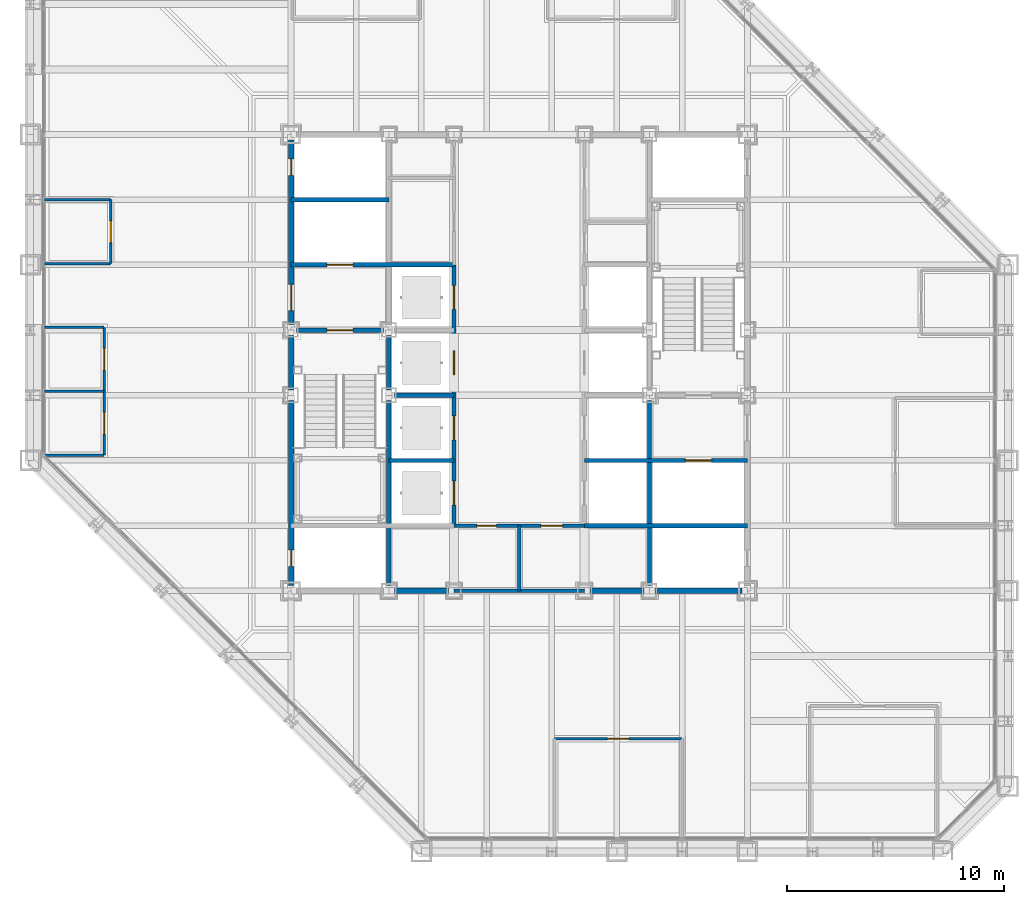
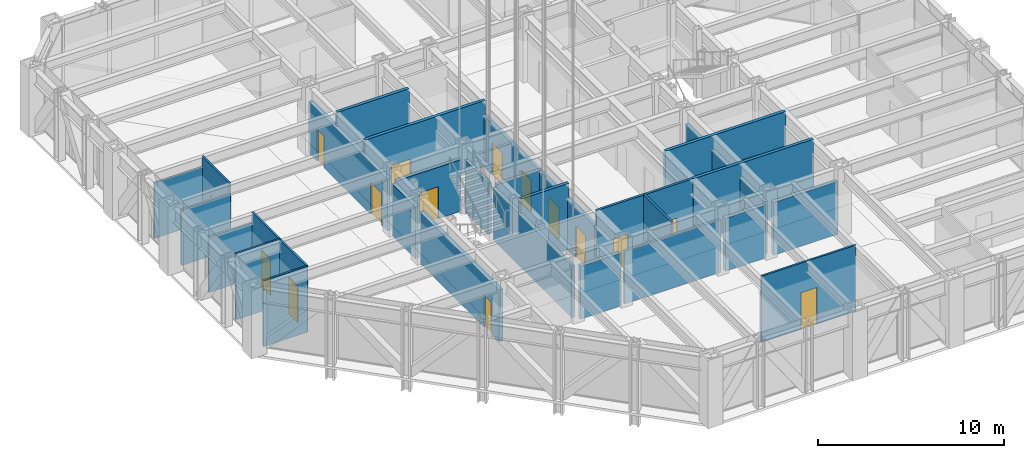
# One storey, part 10 of 26: 29 walls, 16 doors, 16 openings.
"""IFC4 building model written with IfcOpenShell, lengths in metres."""

from ifc_helpers import new_model, si_unit, direction, frame, frame_2d, origin, place, context, subcontext, project, spatial, rectangle, extrude, material, layer, layer_set, type_object, element, fill, save


model = new_model("IFC4")

# Units and contexts
model_context = context("Model", 3, precision=1e-05, world=origin(), true_north=direction((0.0, 1.0)))
body_context = subcontext(model_context, "Body", "Model", "MODEL_VIEW")
ifc_project = project(units=[si_unit("LENGTHUNIT", "METRE"), si_unit("AREAUNIT", "SQUARE_METRE"), si_unit("VOLUMEUNIT", "CUBIC_METRE"), si_unit("PLANEANGLEUNIT", "RADIAN"), si_unit("MASSUNIT", "GRAM", prefix="KILO")], contexts=[model_context])

# Site, building, storey
site_placement = place(None, origin())
site = spatial("IfcSite", under=ifc_project, at=site_placement, CompositionType="ELEMENT")
building_placement = place(site_placement, origin())
building = spatial("IfcBuilding", under=site, at=building_placement, Name="Chuquiago Exchange Tower", CompositionType="ELEMENT")
storey_placement = place(building_placement, frame((0.0, 0.0, 102.300048828125)))
storey = spatial("IfcBuildingStorey", under=building, at=storey_placement, Name="L21", CompositionType="ELEMENT", Elevation=102.300048828125)

# Wall, opening, door
ifc_material_1 = material(Name="Concrete masonry, fully grouted", Category="masonry")
ifc_layer_1 = layer(ifc_material_1, 0.25)
ifc_layer_set_1 = layer_set([ifc_layer_1], Name="W1 core wall 250")
wall_type_1 = type_object("IfcWallType", Name="W1 core wall 250", PredefinedType="SOLIDWALL", material=ifc_layer_set_1)
wall_1_placement = place(storey_placement, frame((12.0, 12.25, 0.0), z_axis=(0.0, 0.0, 1.0), x_axis=(0.0, 1.0, 0.0)))
wall_1 = element("IfcWall", 1, at=wall_1_placement, inside=storey, type_object=wall_type_1, Name="CW-L21-00-0", PredefinedType="SOLIDWALL", context=body_context, shape_type="SweptSolid", body=[
    extrude(rectangle(XDim=8.5, YDim=0.25, at=frame_2d((4.25, 0.0))), origin(), (0.0, 0.0, 1.0), 3.412841796875),
])
opening_1_placement = place(wall_1_placement, frame((0.875, 0.0, 0.0)))
opening_1 = element("IfcOpeningElement", 2, at=opening_1_placement, cuts=wall_1, Name="Opening L21-007", PredefinedType="OPENING", context=body_context, shape_type="SweptSolid", body=[
    extrude(rectangle(XDim=0.75, YDim=2.10009765625, at=frame_2d((0.375, 1.050048828125))), frame((0.0, 0.135009765625, 0.0), z_axis=(0.0, -1.0, 0.0), x_axis=(1.0, 0.0, 0.0)), (0.0, 0.0, 1.0), 0.27001953125),
])
ifc_material_2 = material(Name="Steel door, painted", Category="steel")
door_type_1 = type_object("IfcDoorType", Name="D6 riser access door 750x2100", OperationType="SINGLE_SWING_LEFT", PredefinedType="DOOR", material=ifc_material_2)
door_1_placement = place(opening_1_placement, frame((0.75, 0.0, 0.0), z_axis=(0.0, 0.0, 1.0), x_axis=(-1.0, 0.0, 0.0)))
door_1 = element("IfcDoor", 3, at=door_1_placement, inside=storey, type_object=door_type_1, Name="Riser RW1 door", OperationType="SINGLE_SWING_RIGHT", OverallHeight=2.10009765625, OverallWidth=0.75, PredefinedType="DOOR", context=body_context, shape_type="SweptSolid", body=[
    extrude(rectangle(XDim=0.75, YDim=2.10009765625, at=frame_2d((0.375, 1.050048828125))), frame((0.0, 0.02490234375, 0.0), z_axis=(0.0, -1.0, 0.0), x_axis=(1.0, 0.0, 0.0)), (0.0, 0.0, 1.0), 0.050048828125),
])
fill(opening_1, door_1)

# Wall
wall_2_placement = place(storey_placement, frame((12.0, 21.25, 0.0), z_axis=(0.0, 0.0, 1.0), x_axis=(0.0, 1.0, 0.0)))
element("IfcWall", 4, at=wall_2_placement, inside=storey, type_object=wall_type_1, Name="CW-L21-00-1", PredefinedType="SOLIDWALL", context=body_context, shape_type="SweptSolid", body=[
    extrude(rectangle(XDim=2.5, YDim=0.25, at=frame_2d((1.25, 0.0))), origin(), (0.0, 0.0, 1.0), 3.412841796875),
])

# Wall, openings, doors
wall_3_placement = place(storey_placement, frame((12.0, 24.25, 0.0), z_axis=(0.0, 0.0, 1.0), x_axis=(0.0, 1.0, 0.0)))
wall_3 = element("IfcWall", 5, at=wall_3_placement, inside=storey, type_object=wall_type_1, Name="CW-L21-00-2", PredefinedType="SOLIDWALL", context=body_context, shape_type="SweptSolid", body=[
    extrude(rectangle(XDim=8.5, YDim=0.25, at=frame_2d((4.25, 0.0))), origin(), (0.0, 0.0, 1.0), 3.412841796875),
])
opening_2_placement = place(wall_3_placement, frame((0.64990234375, 0.0, 0.0)))
opening_2 = element("IfcOpeningElement", 6, at=opening_2_placement, cuts=wall_3, Name="Opening L21-002", PredefinedType="OPENING", context=body_context, shape_type="SweptSolid", body=[
    extrude(rectangle(XDim=1.199951171875, YDim=2.10009765625, at=frame_2d((0.60009765625, 1.050048828125))), frame((0.0, 0.135009765625, 0.0), z_axis=(0.0, -1.0, 0.0), x_axis=(1.0, 0.0, 0.0)), (0.0, 0.0, 1.0), 0.27001953125),
])
opening_3_placement = place(wall_3_placement, frame((6.875, 0.0, 0.0)))
opening_3 = element("IfcOpeningElement", 7, at=opening_3_placement, cuts=wall_3, Name="Opening L21-008", PredefinedType="OPENING", context=body_context, shape_type="SweptSolid", body=[
    extrude(rectangle(XDim=0.75, YDim=2.10009765625, at=frame_2d((0.375, 1.050048828125))), frame((0.0, 0.135009765625, 0.0), z_axis=(0.0, -1.0, 0.0), x_axis=(1.0, 0.0, 0.0)), (0.0, 0.0, 1.0), 0.27001953125),
])
ifc_material_3 = material(Name="Steel door, painted", Category="steel")
door_type_2 = type_object("IfcDoorType", Name="D5 firefighting lobby door 1200x2100", OperationType="SINGLE_SWING_LEFT", PredefinedType="DOOR", material=ifc_material_3)
door_2_placement = place(opening_2_placement, frame((1.199951171875, 0.0, 0.0), z_axis=(0.0, 0.0, 1.0), x_axis=(-1.0, 0.0, 0.0)))
door_2 = element("IfcDoor", 8, at=door_2_placement, inside=storey, type_object=door_type_2, Name="Firefighting lobby 1 door", OperationType="SINGLE_SWING_RIGHT", OverallHeight=2.10009765625, OverallWidth=1.199951171875, PredefinedType="DOOR", context=body_context, shape_type="SweptSolid", body=[
    extrude(rectangle(XDim=1.199951171875, YDim=2.10009765625, at=frame_2d((0.60009765625, 1.050048828125))), frame((0.0, 0.02490234375, 0.0), z_axis=(0.0, -1.0, 0.0), x_axis=(1.0, 0.0, 0.0)), (0.0, 0.0, 1.0), 0.050048828125),
])
fill(opening_2, door_2)
door_3_placement = place(opening_3_placement, frame((0.75, 0.0, 0.0), z_axis=(0.0, 0.0, 1.0), x_axis=(-1.0, 0.0, 0.0)))
door_3 = element("IfcDoor", 9, at=door_3_placement, inside=storey, type_object=door_type_1, Name="Riser RW2 door", OperationType="SINGLE_SWING_LEFT", OverallHeight=2.10009765625, OverallWidth=0.75, PredefinedType="DOOR", context=body_context, shape_type="SweptSolid", body=[
    extrude(rectangle(XDim=0.75, YDim=2.10009765625, at=frame_2d((0.375, 1.050048828125))), frame((0.0, 0.02490234375, 0.0), z_axis=(0.0, -1.0, 0.0), x_axis=(1.0, 0.0, 0.0)), (0.0, 0.0, 1.0), 0.050048828125),
])
fill(opening_3, door_3)

# Walls
for number, where, z_axis, x_axis, name in (
    (10, (16.75, 12.0, 0.0), (0.0, 0.0, 1.0), (1.0, 0.0, 0.0), "CW-L21-01-1"),
    (11, (25.75, 12.0, 0.0), (0.0, 0.0, 1.0), (1.0, 0.0, 0.0), "CW-L21-02-0"),
):
    element("IfcWall", number, at=place(storey_placement, frame(where, z_axis=z_axis, x_axis=x_axis)), inside=storey, type_object=wall_type_1, Name=name, PredefinedType="SOLIDWALL", context=body_context, shape_type="SweptSolid", body=[
        extrude(rectangle(XDim=2.5, YDim=0.25, at=frame_2d((1.25, 0.0))), origin(), (0.0, 0.0, 1.0), 3.4814453125),
    ])
wall_4_placement = place(storey_placement, frame((28.75, 12.0, 0.0), z_axis=(0.0, 0.0, 1.0), x_axis=(1.0, 0.0, 0.0)))
element("IfcWall", 12, at=wall_4_placement, inside=storey, type_object=wall_type_1, Name="CW-L21-02-1", PredefinedType="SOLIDWALL", context=body_context, shape_type="SweptSolid", body=[
    extrude(rectangle(XDim=4.0, YDim=0.25, at=frame_2d((2.0, 0.0))), origin(), (0.0, 0.0, 1.0), 3.4814453125),
])
ifc_material_4 = material(Name="Concrete masonry, fully grouted", Category="masonry")
ifc_layer_2 = layer(ifc_material_4, 0.199951171875)
ifc_layer_set_2 = layer_set([ifc_layer_2], Name="W2 shaft wall 200")
wall_type_2 = type_object("IfcWallType", Name="W2 shaft wall 200", PredefinedType="SOLIDWALL", material=ifc_layer_set_2)
wall_5_placement = place(storey_placement, frame((25.5, 15.0, 0.0), z_axis=(0.0, 0.0, 1.0), x_axis=(1.0, 0.0, 0.0)))
element("IfcWall", 13, at=wall_5_placement, inside=storey, type_object=wall_type_2, Name="CW-L21-04-0", PredefinedType="SOLIDWALL", context=body_context, shape_type="SweptSolid", body=[
    extrude(rectangle(XDim=7.5, YDim=0.199951171875, at=frame_2d((3.75, 0.0))), origin(), (0.0, 0.0, 1.0), 4.33984375),
])

# Wall, opening, door
wall_6_placement = place(storey_placement, frame((12.25, 24.0, 0.0), z_axis=(0.0, 0.0, 1.0), x_axis=(1.0, 0.0, 0.0)))
wall_6 = element("IfcWall", 14, at=wall_6_placement, inside=storey, type_object=wall_type_2, Name="CW-L21-05-0", PredefinedType="SOLIDWALL", context=body_context, shape_type="SweptSolid", body=[
    extrude(rectangle(XDim=4.0, YDim=0.199951171875, at=frame_2d((2.0, 0.0))), origin(), (0.0, 0.0, 1.0), 3.389892578125),
])
opening_4_placement = place(wall_6_placement, frame((1.39990234375, 0.0, 0.0)))
opening_4 = element("IfcOpeningElement", 15, at=opening_4_placement, cuts=wall_6, Name="Opening L21-001", PredefinedType="OPENING", context=body_context, shape_type="SweptSolid", body=[
    extrude(rectangle(XDim=1.199951171875, YDim=2.10009765625, at=frame_2d((0.60009765625, 1.050048828125))), frame((0.0, 0.10986328125, 0.0), z_axis=(0.0, -1.0, 0.0), x_axis=(1.0, 0.0, 0.0)), (0.0, 0.0, 1.0), 0.219970703125),
])
ifc_material_5 = material(Name="Steel door, painted", Category="steel")
door_type_3 = type_object("IfcDoorType", Name="D4 stair door 1200x2100", OperationType="SINGLE_SWING_LEFT", PredefinedType="DOOR", material=ifc_material_5)
door_4_placement = place(opening_4_placement, frame((1.199951171875, 0.0, 0.0), z_axis=(0.0, 0.0, 1.0), x_axis=(-1.0, 0.0, 0.0)))
door_4 = element("IfcDoor", 16, at=door_4_placement, inside=storey, type_object=door_type_3, Name="Stair ST1 door", OperationType="SINGLE_SWING_RIGHT", OverallHeight=2.10009765625, OverallWidth=1.199951171875, PredefinedType="DOOR", context=body_context, shape_type="SweptSolid", body=[
    extrude(rectangle(XDim=1.199951171875, YDim=2.10009765625, at=frame_2d((0.60009765625, 1.050048828125))), frame((0.0, 0.02490234375, 0.0), z_axis=(0.0, -1.0, 0.0), x_axis=(1.0, 0.0, 0.0)), (0.0, 0.0, 1.0), 0.050048828125),
])
fill(opening_4, door_4)

wall_7_placement = place(storey_placement, frame((12.0, 27.0, 0.0), z_axis=(0.0, 0.0, 1.0), x_axis=(1.0, 0.0, 0.0)))
wall_7 = element("IfcWall", 17, at=wall_7_placement, inside=storey, type_object=wall_type_2, Name="CW-L21-07-0", PredefinedType="SOLIDWALL", context=body_context, shape_type="SweptSolid", body=[
    extrude(rectangle(XDim=7.5, YDim=0.199951171875, at=frame_2d((3.75, 0.0))), origin(), (0.0, 0.0, 1.0), 4.33984375),
])
opening_5_placement = place(wall_7_placement, frame((1.64990234375, 0.0, 0.0)))
opening_5 = element("IfcOpeningElement", 18, at=opening_5_placement, cuts=wall_7, Name="Opening L21-005", PredefinedType="OPENING", context=body_context, shape_type="SweptSolid", body=[
    extrude(rectangle(XDim=1.199951171875, YDim=2.10009765625, at=frame_2d((0.60009765625, 1.050048828125))), frame((0.0, 0.10986328125, 0.0), z_axis=(0.0, -1.0, 0.0), x_axis=(1.0, 0.0, 0.0)), (0.0, 0.0, 1.0), 0.219970703125),
])
ifc_material_6 = material(Name="Stainless steel lift landing door", Category="steel")
door_type_4 = type_object("IfcDoorType", Name="LD2 firefighting lift landing door 1200x2100", OperationType="DOUBLE_DOOR_SLIDING", PredefinedType="DOOR", material=ifc_material_6)
door_5_placement = place(opening_5_placement, origin())
door_5 = element("IfcDoor", 19, at=door_5_placement, inside=storey, type_object=door_type_4, Name="Firefighting lift FL1 landing door", OperationType="DOUBLE_DOOR_SLIDING", OverallHeight=2.10009765625, OverallWidth=1.199951171875, PredefinedType="DOOR", context=body_context, shape_type="SweptSolid", body=[
    extrude(rectangle(XDim=1.199951171875, YDim=2.10009765625, at=frame_2d((0.60009765625, 1.050048828125))), frame((0.0, 0.02490234375, 0.0), z_axis=(0.0, -1.0, 0.0), x_axis=(1.0, 0.0, 0.0)), (0.0, 0.0, 1.0), 0.050048828125),
])
fill(opening_5, door_5)

# Walls
wall_8_placement = place(storey_placement, frame((12.0, 30.0, 0.0), z_axis=(0.0, 0.0, 1.0), x_axis=(1.0, 0.0, 0.0)))
element("IfcWall", 20, at=wall_8_placement, inside=storey, type_object=wall_type_2, Name="CW-L21-09-0", PredefinedType="SOLIDWALL", context=body_context, shape_type="SweptSolid", body=[
    extrude(rectangle(XDim=4.5, YDim=0.199951171875, at=frame_2d((2.25, 0.0))), origin(), (0.0, 0.0, 1.0), 4.33984375),
])
wall_9_placement = place(storey_placement, frame((16.5, 12.25, 0.0), z_axis=(0.0, 0.0, 1.0), x_axis=(0.0, 1.0, 0.0)))
element("IfcWall", 21, at=wall_9_placement, inside=storey, type_object=wall_type_2, Name="CW-L21-13-0", PredefinedType="SOLIDWALL", context=body_context, shape_type="SweptSolid", body=[
    extrude(rectangle(XDim=8.5, YDim=0.199951171875, at=frame_2d((4.25, 0.0))), origin(), (0.0, 0.0, 1.0), 3.412841796875),
])
wall_10_placement = place(storey_placement, frame((16.5, 21.25, 0.0), z_axis=(0.0, 0.0, 1.0), x_axis=(0.0, 1.0, 0.0)))
element("IfcWall", 22, at=wall_10_placement, inside=storey, type_object=wall_type_2, Name="CW-L21-13-1", PredefinedType="SOLIDWALL", context=body_context, shape_type="SweptSolid", body=[
    extrude(rectangle(XDim=2.5, YDim=0.199951171875, at=frame_2d((1.25, 0.0))), origin(), (0.0, 0.0, 1.0), 3.412841796875),
])
wall_11_placement = place(storey_placement, frame((16.5, 18.0, 0.0), z_axis=(0.0, 0.0, 1.0), x_axis=(1.0, 0.0, 0.0)))
element("IfcWall", 23, at=wall_11_placement, inside=storey, type_object=wall_type_2, Name="CW-L21-14-0", PredefinedType="SOLIDWALL", context=body_context, shape_type="SweptSolid", body=[
    extrude(rectangle(XDim=3.0, YDim=0.199951171875, at=frame_2d((1.5, 0.0))), origin(), (0.0, 0.0, 1.0), 4.33984375),
])

# Wall, opening, door
wall_12_placement = place(storey_placement, frame((25.5, 18.0, 0.0), z_axis=(0.0, 0.0, 1.0), x_axis=(1.0, 0.0, 0.0)))
wall_12 = element("IfcWall", 24, at=wall_12_placement, inside=storey, type_object=wall_type_2, Name="CW-L21-15-0", PredefinedType="SOLIDWALL", context=body_context, shape_type="SweptSolid", body=[
    extrude(rectangle(XDim=7.5, YDim=0.199951171875, at=frame_2d((3.75, 0.0))), origin(), (0.0, 0.0, 1.0), 4.33984375),
])
opening_6_placement = place(wall_12_placement, frame((4.64990234375, 0.0, 0.0)))
opening_6 = element("IfcOpeningElement", 25, at=opening_6_placement, cuts=wall_12, Name="Opening L21-006", PredefinedType="OPENING", context=body_context, shape_type="SweptSolid", body=[
    extrude(rectangle(XDim=1.199951171875, YDim=2.10009765625, at=frame_2d((0.60009765625, 1.050048828125))), frame((0.0, 0.10986328125, 0.0), z_axis=(0.0, -1.0, 0.0), x_axis=(1.0, 0.0, 0.0)), (0.0, 0.0, 1.0), 0.219970703125),
])
door_6_placement = place(opening_6_placement, origin())
door_6 = element("IfcDoor", 26, at=door_6_placement, inside=storey, type_object=door_type_4, Name="Firefighting lift FL2 landing door", OperationType="DOUBLE_DOOR_SLIDING", OverallHeight=2.10009765625, OverallWidth=1.199951171875, PredefinedType="DOOR", context=body_context, shape_type="SweptSolid", body=[
    extrude(rectangle(XDim=1.199951171875, YDim=2.10009765625, at=frame_2d((0.60009765625, 1.050048828125))), frame((0.0, 0.02490234375, 0.0), z_axis=(0.0, -1.0, 0.0), x_axis=(1.0, 0.0, 0.0)), (0.0, 0.0, 1.0), 0.050048828125),
])
fill(opening_6, door_6)

# Wall
wall_13_placement = place(storey_placement, frame((16.75, 21.0, 0.0), z_axis=(0.0, 0.0, 1.0), x_axis=(1.0, 0.0, 0.0)))
element("IfcWall", 27, at=wall_13_placement, inside=storey, type_object=wall_type_2, Name="CW-L21-16-0", PredefinedType="SOLIDWALL", context=body_context, shape_type="SweptSolid", body=[
    extrude(rectangle(XDim=2.75, YDim=0.199951171875, at=frame_2d((1.375, 0.0))), origin(), (0.0, 0.0, 1.0), 3.389892578125),
])

# Wall, openings, doors
wall_14_placement = place(storey_placement, frame((19.5, 15.0, 0.0), z_axis=(0.0, 0.0, 1.0), x_axis=(0.0, 1.0, 0.0)))
wall_14 = element("IfcWall", 28, at=wall_14_placement, inside=storey, type_object=wall_type_2, Name="CW-L21-19-0", PredefinedType="SOLIDWALL", context=body_context, shape_type="SweptSolid", body=[
    extrude(rectangle(XDim=12.0, YDim=0.199951171875, at=frame_2d((6.0, 0.0))), origin(), (0.0, 0.0, 1.0), 3.364501953125),
])
opening_7_placement = place(wall_14_placement, frame((0.949951171875, 0.0, 0.0)))
opening_7 = element("IfcOpeningElement", 29, at=opening_7_placement, cuts=wall_14, Name="Opening L21-017", PredefinedType="OPENING", context=body_context, shape_type="SweptSolid", body=[
    extrude(rectangle(XDim=1.10009765625, YDim=2.10009765625, at=frame_2d((0.550048828125, 1.050048828125))), frame((0.0, 0.10986328125, 0.0), z_axis=(0.0, -1.0, 0.0), x_axis=(1.0, 0.0, 0.0)), (0.0, 0.0, 1.0), 0.219970703125),
])
opening_8_placement = place(wall_14_placement, frame((3.949951171875, 0.0, 0.0)))
opening_8 = element("IfcOpeningElement", 30, at=opening_8_placement, cuts=wall_14, Name="Opening L21-019", PredefinedType="OPENING", context=body_context, shape_type="SweptSolid", body=[
    extrude(rectangle(XDim=1.10009765625, YDim=2.10009765625, at=frame_2d((0.550048828125, 1.050048828125))), frame((0.0, 0.10986328125, 0.0), z_axis=(0.0, -1.0, 0.0), x_axis=(1.0, 0.0, 0.0)), (0.0, 0.0, 1.0), 0.219970703125),
])
opening_9_placement = place(wall_14_placement, frame((6.949951171875, 0.0, 0.0)))
opening_9 = element("IfcOpeningElement", 31, at=opening_9_placement, cuts=wall_14, Name="Opening L21-021", PredefinedType="OPENING", context=body_context, shape_type="SweptSolid", body=[
    extrude(rectangle(XDim=1.10009765625, YDim=2.10009765625, at=frame_2d((0.550048828125, 1.050048828125))), frame((0.0, 0.10986328125, 0.0), z_axis=(0.0, -1.0, 0.0), x_axis=(1.0, 0.0, 0.0)), (0.0, 0.0, 1.0), 0.219970703125),
])
opening_10_placement = place(wall_14_placement, frame((9.949951171875, 0.0, 0.0)))
opening_10 = element("IfcOpeningElement", 32, at=opening_10_placement, cuts=wall_14, Name="Opening L21-023", PredefinedType="OPENING", context=body_context, shape_type="SweptSolid", body=[
    extrude(rectangle(XDim=1.10009765625, YDim=2.10009765625, at=frame_2d((0.550048828125, 1.050048828125))), frame((0.0, 0.10986328125, 0.0), z_axis=(0.0, -1.0, 0.0), x_axis=(1.0, 0.0, 0.0)), (0.0, 0.0, 1.0), 0.219970703125),
])
ifc_material_7 = material(Name="Stainless steel lift landing door", Category="steel")
door_type_5 = type_object("IfcDoorType", Name="LD1 lift landing door 1100x2100", OperationType="DOUBLE_DOOR_SLIDING", PredefinedType="DOOR", material=ifc_material_7)
door_7_placement = place(opening_7_placement, origin())
door_7 = element("IfcDoor", 33, at=door_7_placement, inside=storey, type_object=door_type_5, Name="Lift LB1 landing door", OperationType="DOUBLE_DOOR_SLIDING", OverallHeight=2.10009765625, OverallWidth=1.10009765625, PredefinedType="DOOR", context=body_context, shape_type="SweptSolid", body=[
    extrude(rectangle(XDim=1.10009765625, YDim=2.10009765625, at=frame_2d((0.550048828125, 1.050048828125))), frame((0.0, 0.02490234375, 0.0), z_axis=(0.0, -1.0, 0.0), x_axis=(1.0, 0.0, 0.0)), (0.0, 0.0, 1.0), 0.050048828125),
])
fill(opening_7, door_7)
door_8_placement = place(opening_8_placement, origin())
door_8 = element("IfcDoor", 34, at=door_8_placement, inside=storey, type_object=door_type_5, Name="Lift LB2 landing door", OperationType="DOUBLE_DOOR_SLIDING", OverallHeight=2.10009765625, OverallWidth=1.10009765625, PredefinedType="DOOR", context=body_context, shape_type="SweptSolid", body=[
    extrude(rectangle(XDim=1.10009765625, YDim=2.10009765625, at=frame_2d((0.550048828125, 1.050048828125))), frame((0.0, 0.02490234375, 0.0), z_axis=(0.0, -1.0, 0.0), x_axis=(1.0, 0.0, 0.0)), (0.0, 0.0, 1.0), 0.050048828125),
])
fill(opening_8, door_8)
door_9_placement = place(opening_9_placement, origin())
door_9 = element("IfcDoor", 35, at=door_9_placement, inside=storey, type_object=door_type_5, Name="Lift LB3 landing door", OperationType="DOUBLE_DOOR_SLIDING", OverallHeight=2.10009765625, OverallWidth=1.10009765625, PredefinedType="DOOR", context=body_context, shape_type="SweptSolid", body=[
    extrude(rectangle(XDim=1.10009765625, YDim=2.10009765625, at=frame_2d((0.550048828125, 1.050048828125))), frame((0.0, 0.02490234375, 0.0), z_axis=(0.0, -1.0, 0.0), x_axis=(1.0, 0.0, 0.0)), (0.0, 0.0, 1.0), 0.050048828125),
])
fill(opening_9, door_9)
door_10_placement = place(opening_10_placement, origin())
door_10 = element("IfcDoor", 36, at=door_10_placement, inside=storey, type_object=door_type_5, Name="Lift LB4 landing door", OperationType="DOUBLE_DOOR_SLIDING", OverallHeight=2.10009765625, OverallWidth=1.10009765625, PredefinedType="DOOR", context=body_context, shape_type="SweptSolid", body=[
    extrude(rectangle(XDim=1.10009765625, YDim=2.10009765625, at=frame_2d((0.550048828125, 1.050048828125))), frame((0.0, 0.02490234375, 0.0), z_axis=(0.0, -1.0, 0.0), x_axis=(1.0, 0.0, 0.0)), (0.0, 0.0, 1.0), 0.050048828125),
])
fill(opening_10, door_10)

# Wall
wall_15_placement = place(storey_placement, frame((28.5, 12.25, 0.0), z_axis=(0.0, 0.0, 1.0), x_axis=(0.0, 1.0, 0.0)))
element("IfcWall", 37, at=wall_15_placement, inside=storey, type_object=wall_type_2, Name="CW-L21-24-0", PredefinedType="SOLIDWALL", context=body_context, shape_type="SweptSolid", body=[
    extrude(rectangle(XDim=8.5, YDim=0.199951171875, at=frame_2d((4.25, 0.0))), origin(), (0.0, 0.0, 1.0), 3.412841796875),
])

# Wall, openings, doors
ifc_material_8 = material(Name="Gypsum board on steel studs", Category="steel")
ifc_layer_3 = layer(ifc_material_8, 0.14990234375)
ifc_layer_set_3 = layer_set([ifc_layer_3], Name="W3 core partition 150")
wall_type_3 = type_object("IfcWallType", Name="W3 core partition 150", PredefinedType="PARTITIONING", material=ifc_layer_set_3)
wall_16_placement = place(storey_placement, frame((19.5, 15.0, 0.0), z_axis=(0.0, 0.0, 1.0), x_axis=(1.0, 0.0, 0.0)))
wall_16 = element("IfcWall", 38, at=wall_16_placement, inside=storey, type_object=wall_type_3, Name="CW-L21-TF", PredefinedType="PARTITIONING", context=body_context, shape_type="SweptSolid", body=[
    extrude(rectangle(XDim=6.0, YDim=0.14990234375, at=frame_2d((3.0, 0.0))), origin(), (0.0, 0.0, 1.0), 4.33984375),
])
opening_11_placement = place(wall_16_placement, frame((4.0, 0.0, 0.0)))
opening_11 = element("IfcOpeningElement", 39, at=opening_11_placement, cuts=wall_16, Name="Opening L21-015", PredefinedType="OPENING", context=body_context, shape_type="SweptSolid", body=[
    extrude(rectangle(XDim=1.0, YDim=2.10009765625, at=frame_2d((0.5, 1.050048828125))), frame((0.0, 0.0849609375, 0.0), z_axis=(0.0, -1.0, 0.0), x_axis=(1.0, 0.0, 0.0)), (0.0, 0.0, 1.0), 0.169921875),
])
opening_12_placement = place(wall_16_placement, frame((1.050048828125, 0.0, 0.0)))
opening_12 = element("IfcOpeningElement", 40, at=opening_12_placement, cuts=wall_16, Name="Opening L21-016", PredefinedType="OPENING", context=body_context, shape_type="SweptSolid", body=[
    extrude(rectangle(XDim=0.89990234375, YDim=2.10009765625, at=frame_2d((0.449951171875, 1.050048828125))), frame((0.0, 0.0849609375, 0.0), z_axis=(0.0, -1.0, 0.0), x_axis=(1.0, 0.0, 0.0)), (0.0, 0.0, 1.0), 0.169921875),
])
ifc_material_9 = material(Name="Timber door, laminate faced", Category="wood")
door_type_6 = type_object("IfcDoorType", Name="D7 toilet door 900x2100", OperationType="SINGLE_SWING_LEFT", PredefinedType="DOOR", material=ifc_material_9)
door_11_placement = place(opening_12_placement, origin())
door_11 = element("IfcDoor", 41, at=door_11_placement, inside=storey, type_object=door_type_6, Name="Cleaner door", OperationType="SINGLE_SWING_LEFT", OverallHeight=2.10009765625, OverallWidth=0.89990234375, PredefinedType="DOOR", context=body_context, shape_type="SweptSolid", body=[
    extrude(rectangle(XDim=0.89990234375, YDim=2.10009765625, at=frame_2d((0.449951171875, 1.050048828125))), frame((0.0, 0.02490234375, 0.0), z_axis=(0.0, -1.0, 0.0), x_axis=(1.0, 0.0, 0.0)), (0.0, 0.0, 1.0), 0.050048828125),
])
fill(opening_12, door_11)
ifc_material_10 = material(Name="Timber door, laminate faced", Category="wood")
door_type_7 = type_object("IfcDoorType", Name="D8 accessible toilet door 1000x2100", OperationType="SLIDING_TO_LEFT", PredefinedType="DOOR", material=ifc_material_10)
door_12_placement = place(opening_11_placement, origin())
door_12 = element("IfcDoor", 42, at=door_12_placement, inside=storey, type_object=door_type_7, Name="Accessible WC door", OperationType="SLIDING_TO_LEFT", OverallHeight=2.10009765625, OverallWidth=1.0, PredefinedType="DOOR", context=body_context, shape_type="SweptSolid", body=[
    extrude(rectangle(XDim=1.0, YDim=2.10009765625, at=frame_2d((0.5, 1.050048828125))), frame((0.0, 0.02490234375, 0.0), z_axis=(0.0, -1.0, 0.0), x_axis=(1.0, 0.0, 0.0)), (0.0, 0.0, 1.0), 0.050048828125),
])
fill(opening_11, door_12)

# Walls
wall_17_placement = place(storey_placement, frame((22.5, 15.0, 0.0), z_axis=(0.0, 0.0, 1.0), x_axis=(0.0, -1.0, 0.0)))
element("IfcWall", 43, at=wall_17_placement, inside=storey, type_object=wall_type_3, Name="CW-L21-TM", PredefinedType="PARTITIONING", context=body_context, shape_type="SweptSolid", body=[
    extrude(rectangle(XDim=3.0, YDim=0.14990234375, at=frame_2d((1.5, 0.0))), origin(), (0.0, 0.0, 1.0), 4.33984375),
])
wall_18_placement = place(storey_placement, frame((19.5, 12.0, 0.0), z_axis=(0.0, 0.0, 1.0), x_axis=(1.0, 0.0, 0.0)))
element("IfcWall", 44, at=wall_18_placement, inside=storey, type_object=wall_type_3, Name="CW-L21-TB", PredefinedType="PARTITIONING", context=body_context, shape_type="SweptSolid", body=[
    extrude(rectangle(XDim=6.0, YDim=0.14990234375, at=frame_2d((3.0, 0.0))), origin(), (0.0, 0.0, 1.0), 3.4814453125),
])

# Wall, opening, door
ifc_material_11 = material(Name="Gypsum board on steel studs", Category="steel")
ifc_layer_4 = layer(ifc_material_11, 0.1201171875)
ifc_layer_set_4 = layer_set([ifc_layer_4], Name="W4 partition 120")
wall_type_4 = type_object("IfcWallType", Name="W4 partition 120", PredefinedType="PARTITIONING", material=ifc_layer_set_4)
wall_19_placement = place(storey_placement, frame((24.124267578125, 5.199951171875, 0.0), z_axis=(0.0, 0.0, 1.0), x_axis=(1.0, 0.0, 0.0)))
wall_19 = element("IfcWall", 45, at=wall_19_placement, inside=storey, type_object=wall_type_4, Name="PW-L21-SF02412", PredefinedType="PARTITIONING", context=body_context, shape_type="SweptSolid", body=[
    extrude(rectangle(XDim=5.875732421875, YDim=0.1201171875, at=frame_2d((2.93798828125, 0.0))), origin(), (0.0, 0.0, 1.0), 4.33984375),
])
opening_13_placement = place(wall_19_placement, frame((2.437744140625, 0.0, 0.0)))
opening_13 = element("IfcOpeningElement", 46, at=opening_13_placement, cuts=wall_19, Name="Opening L21-025", PredefinedType="OPENING", context=body_context, shape_type="SweptSolid", body=[
    extrude(rectangle(XDim=1.0, YDim=2.39990234375, at=frame_2d((0.5, 1.199951171875))), frame((0.0, 0.070068359375, 0.0), z_axis=(0.0, -1.0, 0.0), x_axis=(1.0, 0.0, 0.0)), (0.0, 0.0, 1.0), 0.14013671875),
])
ifc_material_12 = material(Name="Timber door, laminate faced", Category="wood")
door_type_8 = type_object("IfcDoorType", Name="D9 room door 1000x2400", OperationType="SINGLE_SWING_LEFT", PredefinedType="DOOR", material=ifc_material_12)
door_13_placement = place(opening_13_placement, frame((1.0, 0.0, 0.0), z_axis=(0.0, 0.0, 1.0), x_axis=(-1.0, 0.0, 0.0)))
door_13 = element("IfcDoor", 47, at=door_13_placement, inside=storey, type_object=door_type_8, Name="Reception door", OperationType="SINGLE_SWING_RIGHT", OverallHeight=2.39990234375, OverallWidth=1.0, PredefinedType="DOOR", context=body_context, shape_type="SweptSolid", body=[
    extrude(rectangle(XDim=1.0, YDim=2.39990234375, at=frame_2d((0.5, 1.199951171875))), frame((0.0, 0.02490234375, 0.0), z_axis=(0.0, -1.0, 0.0), x_axis=(1.0, 0.0, 0.0)), (0.0, 0.0, 1.0), 0.050048828125),
])
fill(opening_13, door_13)

# Walls
wall_20_placement = place(storey_placement, frame((0.666015625, 18.24853515625, 0.0), z_axis=(0.0, 0.0, 1.0), x_axis=(1.0, 0.0, 0.0)))
element("IfcWall", 48, at=wall_20_placement, inside=storey, type_object=wall_type_4, Name="PW-L21-W01825", PredefinedType="PARTITIONING", context=body_context, shape_type="SweptSolid", body=[
    extrude(rectangle(XDim=2.73388671875, YDim=0.1201171875, at=frame_2d((1.366943359375, 0.0))), origin(), (0.0, 0.0, 1.0), 4.33984375),
])
wall_21_placement = place(storey_placement, frame((0.652587890625, 21.186279296875, 0.0), z_axis=(0.0, 0.0, 1.0), x_axis=(1.0, 0.0, 0.0)))
element("IfcWall", 49, at=wall_21_placement, inside=storey, type_object=wall_type_4, Name="PW-L21-W02119", PredefinedType="PARTITIONING", context=body_context, shape_type="SweptSolid", body=[
    extrude(rectangle(XDim=2.747314453125, YDim=0.1201171875, at=frame_2d((1.37353515625, 0.0))), origin(), (0.0, 0.0, 1.0), 4.33984375),
])
wall_22_placement = place(storey_placement, frame((0.652587890625, 24.124267578125, 0.0), z_axis=(0.0, 0.0, 1.0), x_axis=(1.0, 0.0, 0.0)))
element("IfcWall", 50, at=wall_22_placement, inside=storey, type_object=wall_type_4, Name="PW-L21-W02412", PredefinedType="PARTITIONING", context=body_context, shape_type="SweptSolid", body=[
    extrude(rectangle(XDim=2.747314453125, YDim=0.1201171875, at=frame_2d((1.37353515625, 0.0))), origin(), (0.0, 0.0, 1.0), 3.65673828125),
])
for number, where, z_axis, x_axis, name in (
    (51, (0.652587890625, 27.06201171875, 0.0), (0.0, 0.0, 1.0), (1.0, 0.0, 0.0), "PW-L21-W02706"),
    (52, (0.652587890625, 30.0, 0.0), (0.0, 0.0, 1.0), (1.0, 0.0, 0.0), "PW-L21-W03000"),
):
    element("IfcWall", number, at=place(storey_placement, frame(where, z_axis=z_axis, x_axis=x_axis)), inside=storey, type_object=wall_type_4, Name=name, PredefinedType="PARTITIONING", context=body_context, shape_type="SweptSolid", body=[
        extrude(rectangle(XDim=3.04736328125, YDim=0.1201171875, at=frame_2d((1.523681640625, 0.0))), origin(), (0.0, 0.0, 1.0), 3.65673828125),
    ])

# Wall, opening, door
wall_23_placement = place(storey_placement, frame((3.39990234375, 18.24853515625, 0.0), z_axis=(0.0, 0.0, 1.0), x_axis=(0.0, 1.0, 0.0)))
wall_23 = element("IfcWall", 53, at=wall_23_placement, inside=storey, type_object=wall_type_4, Name="PW-L21-WF01825", PredefinedType="PARTITIONING", context=body_context, shape_type="SweptSolid", body=[
    extrude(rectangle(XDim=2.937744140625, YDim=0.1201171875, at=frame_2d((1.46875, 0.0))), origin(), (0.0, 0.0, 1.0), 4.33984375),
])
opening_14_placement = place(wall_23_placement, frame((0.968994140625, 0.0, 0.0)))
opening_14 = element("IfcOpeningElement", 54, at=opening_14_placement, cuts=wall_23, Name="Opening L21-031", PredefinedType="OPENING", context=body_context, shape_type="SweptSolid", body=[
    extrude(rectangle(XDim=1.0, YDim=2.39990234375, at=frame_2d((0.5, 1.199951171875))), frame((0.0, 0.070068359375, 0.0), z_axis=(0.0, -1.0, 0.0), x_axis=(1.0, 0.0, 0.0)), (0.0, 0.0, 1.0), 0.14013671875),
])
ifc_material_13 = material(Name="Timber frame door, full height glazed panel", Category="wood")
door_type_9 = type_object("IfcDoorType", Name="D14 glazed meeting room door 1000x2400", OperationType="SINGLE_SWING_LEFT", PredefinedType="DOOR", material=ifc_material_13)
door_14_placement = place(opening_14_placement, origin())
door_14 = element("IfcDoor", 55, at=door_14_placement, inside=storey, type_object=door_type_9, Name="Focus room door", OperationType="SINGLE_SWING_LEFT", OverallHeight=2.39990234375, OverallWidth=1.0, PredefinedType="DOOR", context=body_context, shape_type="SweptSolid", body=[
    extrude(rectangle(XDim=1.0, YDim=2.39990234375, at=frame_2d((0.5, 1.199951171875))), frame((0.0, 0.02490234375, 0.0), z_axis=(0.0, -1.0, 0.0), x_axis=(1.0, 0.0, 0.0)), (0.0, 0.0, 1.0), 0.050048828125),
])
fill(opening_14, door_14)

wall_24_placement = place(storey_placement, frame((3.39990234375, 21.186279296875, 0.0), z_axis=(0.0, 0.0, 1.0), x_axis=(0.0, 1.0, 0.0)))
wall_24 = element("IfcWall", 56, at=wall_24_placement, inside=storey, type_object=wall_type_4, Name="PW-L21-WF02119", PredefinedType="PARTITIONING", context=body_context, shape_type="SweptSolid", body=[
    extrude(rectangle(XDim=2.93798828125, YDim=0.1201171875, at=frame_2d((1.468994140625, 0.0))), origin(), (0.0, 0.0, 1.0), 4.33984375),
])
opening_15_placement = place(wall_24_placement, frame((0.968994140625, 0.0, 0.0)))
opening_15 = element("IfcOpeningElement", 57, at=opening_15_placement, cuts=wall_24, Name="Opening L21-032", PredefinedType="OPENING", context=body_context, shape_type="SweptSolid", body=[
    extrude(rectangle(XDim=1.0, YDim=2.39990234375, at=frame_2d((0.5, 1.199951171875))), frame((0.0, 0.070068359375, 0.0), z_axis=(0.0, -1.0, 0.0), x_axis=(1.0, 0.0, 0.0)), (0.0, 0.0, 1.0), 0.14013671875),
])
door_15_placement = place(opening_15_placement, origin())
door_15 = element("IfcDoor", 58, at=door_15_placement, inside=storey, type_object=door_type_9, Name="Focus room door", OperationType="SINGLE_SWING_RIGHT", OverallHeight=2.39990234375, OverallWidth=1.0, PredefinedType="DOOR", context=body_context, shape_type="SweptSolid", body=[
    extrude(rectangle(XDim=1.0, YDim=2.39990234375, at=frame_2d((0.5, 1.199951171875))), frame((0.0, 0.02490234375, 0.0), z_axis=(0.0, -1.0, 0.0), x_axis=(1.0, 0.0, 0.0)), (0.0, 0.0, 1.0), 0.050048828125),
])
fill(opening_15, door_15)

wall_25_placement = place(storey_placement, frame((3.699951171875, 27.06201171875, 0.0), z_axis=(0.0, 0.0, 1.0), x_axis=(0.0, 1.0, 0.0)))
wall_25 = element("IfcWall", 59, at=wall_25_placement, inside=storey, type_object=wall_type_4, Name="PW-L21-WF02706", PredefinedType="PARTITIONING", context=body_context, shape_type="SweptSolid", body=[
    extrude(rectangle(XDim=2.93798828125, YDim=0.1201171875, at=frame_2d((1.468994140625, 0.0))), origin(), (0.0, 0.0, 1.0), 4.33984375),
])
opening_16_placement = place(wall_25_placement, frame((0.968994140625, 0.0, 0.0)))
opening_16 = element("IfcOpeningElement", 60, at=opening_16_placement, cuts=wall_25, Name="Opening L21-033", PredefinedType="OPENING", context=body_context, shape_type="SweptSolid", body=[
    extrude(rectangle(XDim=1.0, YDim=2.39990234375, at=frame_2d((0.5, 1.199951171875))), frame((0.0, 0.070068359375, 0.0), z_axis=(0.0, -1.0, 0.0), x_axis=(1.0, 0.0, 0.0)), (0.0, 0.0, 1.0), 0.14013671875),
])
door_16_placement = place(opening_16_placement, origin())
door_16 = element("IfcDoor", 61, at=door_16_placement, inside=storey, type_object=door_type_8, Name="Store door", OperationType="SINGLE_SWING_LEFT", OverallHeight=2.39990234375, OverallWidth=1.0, PredefinedType="DOOR", context=body_context, shape_type="SweptSolid", body=[
    extrude(rectangle(XDim=1.0, YDim=2.39990234375, at=frame_2d((0.5, 1.199951171875))), frame((0.0, 0.02490234375, 0.0), z_axis=(0.0, -1.0, 0.0), x_axis=(1.0, 0.0, 0.0)), (0.0, 0.0, 1.0), 0.050048828125),
])
fill(opening_16, door_16)

save(model, "model.ifc")
